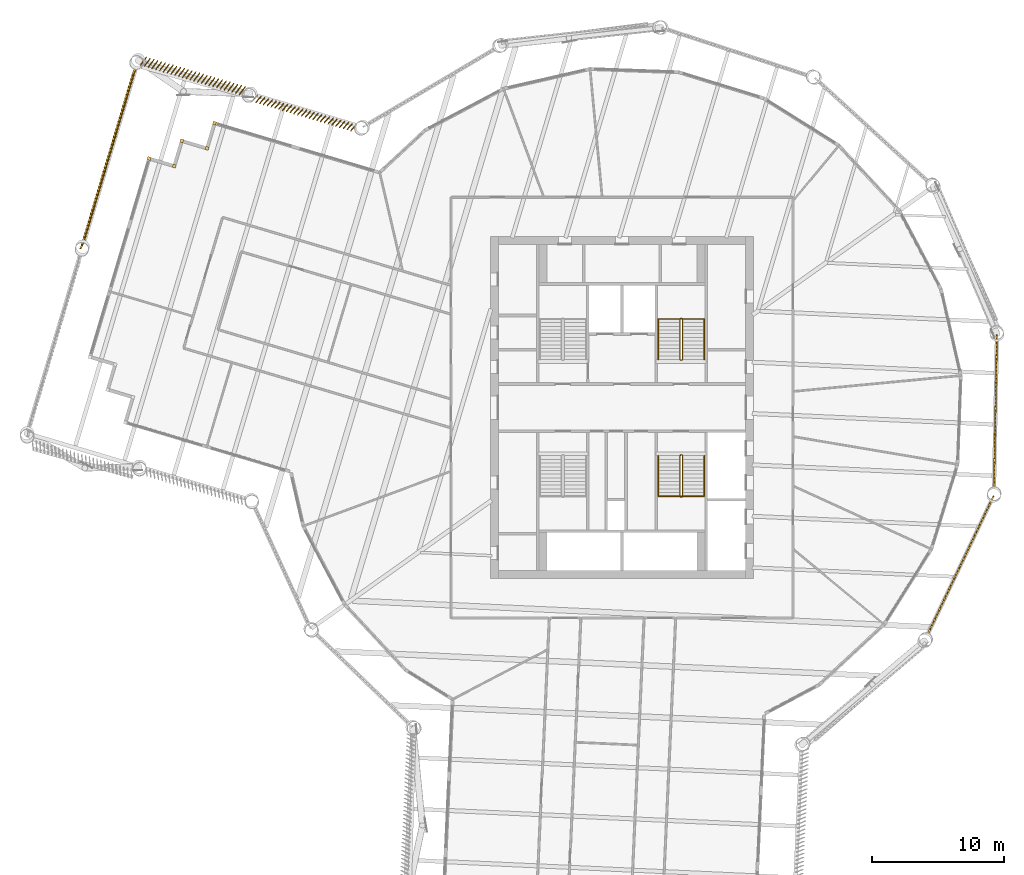
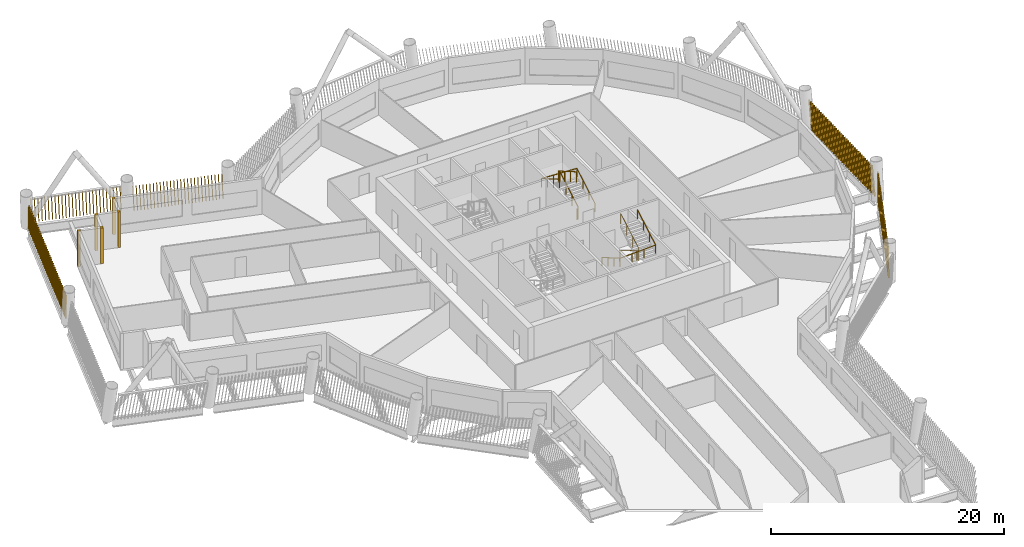
# One storey, part 22 of 24: 10 shading devices, 4 railings.
"""IFC4 building model written with IfcOpenShell, lengths in metres."""

from ifc_helpers import new_model, si_unit, direction, frame, frame_2d, origin, origin_2d, place, context, subcontext, project, spatial, rectangle, circle, composite_profile, extrude, material, type_object, element, save


model = new_model("IFC4")

# Units and contexts
model_context = context("Model", 3, precision=1e-05, world=origin(), true_north=direction((0.0, 1.0)))
body_context = subcontext(model_context, "Body", "Model", "MODEL_VIEW")
ifc_project = project(units=[si_unit("LENGTHUNIT", "METRE"), si_unit("AREAUNIT", "SQUARE_METRE"), si_unit("VOLUMEUNIT", "CUBIC_METRE"), si_unit("PLANEANGLEUNIT", "RADIAN"), si_unit("MASSUNIT", "GRAM", prefix="KILO")], contexts=[model_context])

# Site, building, storey
site_placement = place(None, origin())
site = spatial("IfcSite", under=ifc_project, at=site_placement, CompositionType="ELEMENT")
building_placement = place(site_placement, origin())
building = spatial("IfcBuilding", under=site, at=building_placement, Name="Tarsis Ring Headquarters", CompositionType="ELEMENT")
storey_placement = place(building_placement, frame((0.0, 0.0, 216.0)))
storey = spatial("IfcBuildingStorey", under=building, at=storey_placement, Name="L50", CompositionType="ELEMENT", Elevation=216.0)

# Railings
ifc_material_1 = material(Name="Steel S355", Category="steel")
railing_type_1 = type_object("IfcRailingType", Name="Core stair guard 1100", PredefinedType="GUARDRAIL", material=ifc_material_1)
railing_1_placement = place(storey_placement, frame((4.4599609375, 3.610107421875, 0.0)))
element("IfcRailing", 1, at=railing_1_placement, inside=storey, type_object=railing_type_1, Name="L50 ST2 stair guard 1", PredefinedType="GUARDRAIL", context=body_context, shape_type="SweptSolid", body=[
    extrude(circle(Radius=0.02392578125, at=origin_2d()), frame((0.0, 0.0, 1.076171875), z_axis=(1.0, 0.0, 0.0), x_axis=(0.0, 1.0, 0.0)), (0.0, 0.0, 1.0), 0.080078125),
    extrude(circle(Radius=0.02392578125, at=origin_2d()), frame((0.080078125, 0.0, 1.076171875), z_axis=(0.282336740067, 0.280959487676, 0.917250092119), x_axis=(-0.705375805398, 0.708833529934, 0.0)), (0.0, 0.0, 1.0), 0.17724609375),
    extrude(circle(Radius=0.02392578125, at=origin_2d()), frame((0.130126953125, 0.0498046875, 1.23876953125), z_axis=(0.0, 0.864920483161, 0.501908913857), x_axis=(-1.0, 0.0, 0.0)), (0.0, 0.0, 1.0), 3.56103515625),
    extrude(circle(Radius=0.02392578125, at=origin_2d()), frame((0.130126953125, 3.1298828125, 3.02587890625), z_axis=(-0.707106781187, 0.707106781187, 0.0), x_axis=(-0.707106781187, -0.707106781187, 0.0)), (0.0, 0.0, 1.0), 0.07080078125),
    extrude(circle(Radius=0.02392578125, at=origin_2d()), frame((0.080078125, 3.179931640625, 3.02587890625), z_axis=(-1.0, 0.0, 0.0), x_axis=(0.0, -1.0, 0.0)), (0.0, 0.0, 1.0), 0.080078125),
    extrude(circle(Radius=0.02392578125, at=origin_2d()), frame((0.0, 3.179931640625, 3.02587890625), z_axis=(-0.282227285176, -0.282227285176, 0.916894497205), x_axis=(0.707106781187, -0.707106781187, 0.0)), (0.0, 0.0, 1.0), 0.17724609375),
    extrude(circle(Radius=0.02392578125, at=origin_2d()), frame((-0.050048828125, 3.1298828125, 3.1884765625), z_axis=(0.0, -0.864920483161, 0.501908913857), x_axis=(1.0, 0.0, 0.0)), (0.0, 0.0, 1.0), 3.56103515625),
    extrude(circle(Radius=0.02099609375, at=origin_2d()), origin(), (0.0, 0.0, 1.0), 1.052001953125),
    extrude(circle(Radius=0.02099609375, at=origin_2d()), frame((0.080078125, 0.0, 0.0)), (0.0, 0.0, 1.0), 1.052001953125),
    extrude(circle(Radius=0.02099609375, at=origin_2d()), frame((0.130126953125, 0.0498046875, 0.16259765625)), (0.0, 0.0, 1.0), 1.052001953125),
    extrude(circle(Radius=0.02099609375, at=origin_2d()), frame((0.130126953125, 1.076416015625, 0.75830078125)), (0.0, 0.0, 1.0), 1.052001953125),
    extrude(circle(Radius=0.02099609375, at=origin_2d()), frame((0.130126953125, 2.103271484375, 1.354248046875)), (0.0, 0.0, 1.0), 1.052001953125),
    extrude(circle(Radius=0.02099609375, at=origin_2d()), frame((0.130126953125, 3.1298828125, 1.949951171875)), (0.0, 0.0, 1.0), 1.052001953125),
    extrude(circle(Radius=0.02099609375, at=origin_2d()), frame((0.080078125, 3.179931640625, 1.949951171875)), (0.0, 0.0, 1.0), 1.052001953125),
    extrude(circle(Radius=0.02099609375, at=origin_2d()), frame((0.0, 3.179931640625, 1.949951171875)), (0.0, 0.0, 1.0), 1.052001953125),
    extrude(circle(Radius=0.02099609375, at=origin_2d()), frame((-0.050048828125, 3.1298828125, 2.112548828125)), (0.0, 0.0, 1.0), 1.052001953125),
    extrude(circle(Radius=0.02099609375, at=origin_2d()), frame((-0.050048828125, 2.103271484375, 2.708251953125)), (0.0, 0.0, 1.0), 1.052001953125),
    extrude(circle(Radius=0.02099609375, at=origin_2d()), frame((-0.050048828125, 1.076416015625, 3.30419921875)), (0.0, 0.0, 1.0), 1.052001953125),
    extrude(circle(Radius=0.02099609375, at=origin_2d()), frame((-0.050048828125, 0.0498046875, 3.89990234375)), (0.0, 0.0, 1.0), 1.052001953125),
])
railing_2_placement = place(storey_placement, frame((4.5400390625, -3.610107421875, 0.0)))
element("IfcRailing", 2, at=railing_2_placement, inside=storey, type_object=railing_type_1, Name="L50 ST4 stair guard 1", PredefinedType="GUARDRAIL", context=body_context, shape_type="SweptSolid", body=[
    extrude(circle(Radius=0.02392578125, at=origin_2d()), frame((0.0, 0.0, 1.076171875), z_axis=(-1.0, 0.0, 0.0), x_axis=(0.0, -1.0, 0.0)), (0.0, 0.0, 1.0), 0.080078125),
    extrude(circle(Radius=0.02392578125, at=origin_2d()), frame((-0.080078125, 0.0, 1.076171875), z_axis=(-0.282336740067, -0.280959487676, 0.917250092119), x_axis=(0.705375805398, -0.708833529934, 0.0)), (0.0, 0.0, 1.0), 0.17724609375),
    extrude(circle(Radius=0.02392578125, at=origin_2d()), frame((-0.130126953125, -0.0498046875, 1.23876953125), z_axis=(0.0, -0.864920483161, 0.501908913857), x_axis=(1.0, 0.0, 0.0)), (0.0, 0.0, 1.0), 3.56103515625),
    extrude(circle(Radius=0.02392578125, at=origin_2d()), frame((-0.130126953125, -3.1298828125, 3.02587890625), z_axis=(0.707106781187, -0.707106781187, 0.0), x_axis=(0.707106781187, 0.707106781187, 0.0)), (0.0, 0.0, 1.0), 0.07080078125),
    extrude(circle(Radius=0.02392578125, at=origin_2d()), frame((-0.080078125, -3.179931640625, 3.02587890625), z_axis=(1.0, 0.0, 0.0), x_axis=(0.0, 1.0, 0.0)), (0.0, 0.0, 1.0), 0.080078125),
    extrude(circle(Radius=0.02392578125, at=origin_2d()), frame((0.0, -3.179931640625, 3.02587890625), z_axis=(0.282227285176, 0.282227285176, 0.916894497205), x_axis=(-0.707106781187, 0.707106781187, 0.0)), (0.0, 0.0, 1.0), 0.17724609375),
    extrude(circle(Radius=0.02392578125, at=origin_2d()), frame((0.050048828125, -3.1298828125, 3.1884765625), z_axis=(0.0, 0.864920483161, 0.501908913857), x_axis=(-1.0, 0.0, 0.0)), (0.0, 0.0, 1.0), 3.56103515625),
    extrude(circle(Radius=0.02099609375, at=origin_2d()), origin(), (0.0, 0.0, 1.0), 1.052001953125),
    extrude(circle(Radius=0.02099609375, at=origin_2d()), frame((-0.080078125, 0.0, 0.0)), (0.0, 0.0, 1.0), 1.052001953125),
    extrude(circle(Radius=0.02099609375, at=origin_2d()), frame((-0.130126953125, -0.0498046875, 0.16259765625)), (0.0, 0.0, 1.0), 1.052001953125),
    extrude(circle(Radius=0.02099609375, at=origin_2d()), frame((-0.130126953125, -1.076416015625, 0.75830078125)), (0.0, 0.0, 1.0), 1.052001953125),
    extrude(circle(Radius=0.02099609375, at=origin_2d()), frame((-0.130126953125, -2.103271484375, 1.354248046875)), (0.0, 0.0, 1.0), 1.052001953125),
    extrude(circle(Radius=0.02099609375, at=origin_2d()), frame((-0.130126953125, -3.1298828125, 1.949951171875)), (0.0, 0.0, 1.0), 1.052001953125),
    extrude(circle(Radius=0.02099609375, at=origin_2d()), frame((-0.080078125, -3.179931640625, 1.949951171875)), (0.0, 0.0, 1.0), 1.052001953125),
    extrude(circle(Radius=0.02099609375, at=origin_2d()), frame((0.0, -3.179931640625, 1.949951171875)), (0.0, 0.0, 1.0), 1.052001953125),
    extrude(circle(Radius=0.02099609375, at=origin_2d()), frame((0.050048828125, -3.1298828125, 2.112548828125)), (0.0, 0.0, 1.0), 1.052001953125),
    extrude(circle(Radius=0.02099609375, at=origin_2d()), frame((0.050048828125, -2.103271484375, 2.708251953125)), (0.0, 0.0, 1.0), 1.052001953125),
    extrude(circle(Radius=0.02099609375, at=origin_2d()), frame((0.050048828125, -1.076416015625, 3.30419921875)), (0.0, 0.0, 1.0), 1.052001953125),
    extrude(circle(Radius=0.02099609375, at=origin_2d()), frame((0.050048828125, -0.0498046875, 3.89990234375)), (0.0, 0.0, 1.0), 1.052001953125),
])
railing_type_2 = type_object("IfcRailingType", Name="Core stair handrail 900", PredefinedType="HANDRAIL", material=ifc_material_1)
railing_3_placement = place(storey_placement, frame((6.25, 3.659912109375, 0.16259765625)))
element("IfcRailing", 3, at=railing_3_placement, inside=storey, type_object=railing_type_2, Name="L50 ST2 stair handrail 1", PredefinedType="HANDRAIL", context=body_context, shape_type="SweptSolid", body=[
    extrude(circle(Radius=0.02392578125, at=origin_2d()), frame((0.0, 0.0, 0.8759765625), z_axis=(0.0, 0.864920483161, 0.501908913857), x_axis=(-1.0, 0.0, 0.0)), (0.0, 0.0, 1.0), 3.56103515625),
    extrude(circle(Radius=0.02392578125, at=origin_2d()), frame((0.0, 3.080078125, 2.6630859375), z_axis=(-0.998922641604, 0.0, 0.046406422943), x_axis=(0.0, -1.0, 0.0)), (0.0, 0.0, 1.0), 3.503662109375),
    extrude(circle(Radius=0.02392578125, at=origin_2d()), frame((-3.5, 3.080078125, 2.82568359375), z_axis=(0.0, -0.864920483161, 0.501908913857), x_axis=(1.0, 0.0, 0.0)), (0.0, 0.0, 1.0), 3.56103515625),
    extrude(circle(Radius=0.02099609375, at=origin_2d()), origin(), (0.0, 0.0, 1.0), 0.851806640625),
    extrude(circle(Radius=0.02099609375, at=origin_2d()), frame((0.0, 1.026611328125, 0.595703125)), (0.0, 0.0, 1.0), 0.851806640625),
    extrude(circle(Radius=0.02099609375, at=origin_2d()), frame((0.0, 2.053466796875, 1.191650390625)), (0.0, 0.0, 1.0), 0.851806640625),
    extrude(circle(Radius=0.02099609375, at=origin_2d()), frame((0.0, 3.080078125, 1.787353515625)), (0.0, 0.0, 1.0), 0.851806640625),
    extrude(circle(Radius=0.02099609375, at=origin_2d()), frame((-1.166748046875, 3.080078125, 1.841552734375)), (0.0, 0.0, 1.0), 0.851806640625),
    extrude(circle(Radius=0.02099609375, at=origin_2d()), frame((-2.333251953125, 3.080078125, 1.895751953125)), (0.0, 0.0, 1.0), 0.851806640625),
    extrude(circle(Radius=0.02099609375, at=origin_2d()), frame((-3.5, 3.080078125, 1.949951171875)), (0.0, 0.0, 1.0), 0.851806640625),
    extrude(circle(Radius=0.02099609375, at=origin_2d()), frame((-3.5, 2.053466796875, 2.545654296875)), (0.0, 0.0, 1.0), 0.851806640625),
    extrude(circle(Radius=0.02099609375, at=origin_2d()), frame((-3.5, 1.026611328125, 3.1416015625)), (0.0, 0.0, 1.0), 0.851806640625),
    extrude(circle(Radius=0.02099609375, at=origin_2d()), frame((-3.5, 0.0, 3.7373046875)), (0.0, 0.0, 1.0), 0.851806640625),
])
railing_4_placement = place(storey_placement, frame((2.75, -3.659912109375, 0.16259765625)))
element("IfcRailing", 4, at=railing_4_placement, inside=storey, type_object=railing_type_2, Name="L50 ST4 stair handrail 1", PredefinedType="HANDRAIL", context=body_context, shape_type="SweptSolid", body=[
    extrude(circle(Radius=0.02392578125, at=origin_2d()), frame((0.0, 0.0, 0.8759765625), z_axis=(0.0, -0.864920483161, 0.501908913857), x_axis=(1.0, 0.0, 0.0)), (0.0, 0.0, 1.0), 3.56103515625),
    extrude(circle(Radius=0.02392578125, at=origin_2d()), frame((0.0, -3.080078125, 2.6630859375), z_axis=(0.998922641604, 0.0, 0.046406422943), x_axis=(0.0, 1.0, 0.0)), (0.0, 0.0, 1.0), 3.503662109375),
    extrude(circle(Radius=0.02392578125, at=origin_2d()), frame((3.5, -3.080078125, 2.82568359375), z_axis=(0.0, 0.864920483161, 0.501908913857), x_axis=(-1.0, 0.0, 0.0)), (0.0, 0.0, 1.0), 3.56103515625),
    extrude(circle(Radius=0.02099609375, at=origin_2d()), origin(), (0.0, 0.0, 1.0), 0.851806640625),
    extrude(circle(Radius=0.02099609375, at=origin_2d()), frame((0.0, -1.026611328125, 0.595703125)), (0.0, 0.0, 1.0), 0.851806640625),
    extrude(circle(Radius=0.02099609375, at=origin_2d()), frame((0.0, -2.053466796875, 1.191650390625)), (0.0, 0.0, 1.0), 0.851806640625),
    extrude(circle(Radius=0.02099609375, at=origin_2d()), frame((0.0, -3.080078125, 1.787353515625)), (0.0, 0.0, 1.0), 0.851806640625),
    extrude(circle(Radius=0.02099609375, at=origin_2d()), frame((1.166748046875, -3.080078125, 1.841552734375)), (0.0, 0.0, 1.0), 0.851806640625),
    extrude(circle(Radius=0.02099609375, at=origin_2d()), frame((2.333251953125, -3.080078125, 1.895751953125)), (0.0, 0.0, 1.0), 0.851806640625),
    extrude(circle(Radius=0.02099609375, at=origin_2d()), frame((3.5, -3.080078125, 1.949951171875)), (0.0, 0.0, 1.0), 0.851806640625),
    extrude(circle(Radius=0.02099609375, at=origin_2d()), frame((3.5, -2.053466796875, 2.545654296875)), (0.0, 0.0, 1.0), 0.851806640625),
    extrude(circle(Radius=0.02099609375, at=origin_2d()), frame((3.5, -1.026611328125, 3.1416015625)), (0.0, 0.0, 1.0), 0.851806640625),
    extrude(circle(Radius=0.02099609375, at=origin_2d()), frame((3.5, 0.0, 3.7373046875)), (0.0, 0.0, 1.0), 0.851806640625),
])

# Shading devices
ifc_material_2 = material(Name="Terracotta baguette", Category="masonry")
shading_device_type_1 = type_object("IfcShadingDeviceType", Name="Terracotta baguette screen", PredefinedType="USERDEFINED", material=ifc_material_2)
shading_device_1_placement = place(storey_placement, frame((23.22119140625, -17.283447265625, 0.0), z_axis=(0.0, 0.0, 1.0), x_axis=(0.429820944113, 0.902919153554, 0.0)))
element("IfcShadingDevice", 5, at=shading_device_1_placement, inside=storey, type_object=shading_device_type_1, Name="Baguette screen L50-08", ObjectType="Terracotta baguette screen", PredefinedType="USERDEFINED", context=body_context, shape_type="SweptSolid", body=[
    extrude(composite_profile([rectangle(XDim=0.06005859375, YDim=0.1201171875, at=frame_2d((0.030029296875, 0.0))), rectangle(XDim=0.06005859375, YDim=0.1201171875, at=frame_2d((0.33251953125, 0.0))), rectangle(XDim=0.06005859375, YDim=0.1201171875, at=frame_2d((0.634765625, 0.0))), rectangle(XDim=0.06005859375, YDim=0.1201171875, at=frame_2d((0.937255859375, 0.0))), rectangle(XDim=0.06005859375, YDim=0.1201171875, at=frame_2d((1.239501953125, 0.0))), rectangle(XDim=0.06005859375, YDim=0.1201171875, at=frame_2d((1.5419921875, 0.0))), rectangle(XDim=0.06005859375, YDim=0.1201171875, at=frame_2d((1.844482421875, 0.0))), rectangle(XDim=0.06005859375, YDim=0.1201171875, at=frame_2d((2.146728515625, 0.0))), rectangle(XDim=0.06005859375, YDim=0.1201171875, at=frame_2d((2.44921875, 0.0))), rectangle(XDim=0.06005859375, YDim=0.1201171875, at=frame_2d((2.751708984375, 0.0))), rectangle(XDim=0.06005859375, YDim=0.1201171875, at=frame_2d((3.053955078125, 0.0))), rectangle(XDim=0.06005859375, YDim=0.1201171875, at=frame_2d((3.3564453125, 0.0))), rectangle(XDim=0.06005859375, YDim=0.1201171875, at=frame_2d((3.65869140625, 0.0))), rectangle(XDim=0.06005859375, YDim=0.1201171875, at=frame_2d((3.961181640625, 0.0))), rectangle(XDim=0.06005859375, YDim=0.1201171875, at=frame_2d((4.263671875, 0.0))), rectangle(XDim=0.06005859375, YDim=0.1201171875, at=frame_2d((4.56591796875, 0.0))), rectangle(XDim=0.06005859375, YDim=0.1201171875, at=frame_2d((4.868408203125, 0.0))), rectangle(XDim=0.06005859375, YDim=0.1201171875, at=frame_2d((5.1708984375, 0.0))), rectangle(XDim=0.06005859375, YDim=0.1201171875, at=frame_2d((5.47314453125, 0.0))), rectangle(XDim=0.06005859375, YDim=0.1201171875, at=frame_2d((5.775634765625, 0.0))), rectangle(XDim=0.06005859375, YDim=0.1201171875, at=frame_2d((6.077880859375, 0.0))), rectangle(XDim=0.06005859375, YDim=0.1201171875, at=frame_2d((6.38037109375, 0.0))), rectangle(XDim=0.06005859375, YDim=0.1201171875, at=frame_2d((6.682861328125, 0.0))), rectangle(XDim=0.06005859375, YDim=0.1201171875, at=frame_2d((6.985107421875, 0.0))), rectangle(XDim=0.06005859375, YDim=0.1201171875, at=frame_2d((7.28759765625, 0.0))), rectangle(XDim=0.06005859375, YDim=0.1201171875, at=frame_2d((7.590087890625, 0.0))), rectangle(XDim=0.06005859375, YDim=0.1201171875, at=frame_2d((7.892333984375, 0.0))), rectangle(XDim=0.06005859375, YDim=0.1201171875, at=frame_2d((8.19482421875, 0.0))), rectangle(XDim=0.06005859375, YDim=0.1201171875, at=frame_2d((8.4970703125, 0.0))), rectangle(XDim=0.06005859375, YDim=0.1201171875, at=frame_2d((8.799560546875, 0.0))), rectangle(XDim=0.06005859375, YDim=0.1201171875, at=frame_2d((9.10205078125, 0.0))), rectangle(XDim=0.06005859375, YDim=0.1201171875, at=frame_2d((9.404296875, 0.0))), rectangle(XDim=0.06005859375, YDim=0.1201171875, at=frame_2d((9.706787109375, 0.0))), rectangle(XDim=0.06005859375, YDim=0.1201171875, at=frame_2d((10.00927734375, 0.0))), rectangle(XDim=0.06005859375, YDim=0.1201171875, at=frame_2d((10.3115234375, 0.0))), rectangle(XDim=0.06005859375, YDim=0.1201171875, at=frame_2d((10.614013671875, 0.0))), rectangle(XDim=0.06005859375, YDim=0.1201171875, at=frame_2d((10.916259765625, 0.0))), rectangle(XDim=0.06005859375, YDim=0.1201171875, at=frame_2d((11.21875, 0.0)))]), origin(), (0.15921705773, 0.001333325803, 0.987242701047), 2.988037109375),
])
shading_device_2_placement = place(storey_placement, frame((28.28076171875, -6.17529296875, 0.0), z_axis=(0.0, 0.0, 1.0), x_axis=(0.019446132477, 0.999804670544, 0.0)))
element("IfcShadingDevice", 6, at=shading_device_2_placement, inside=storey, type_object=shading_device_type_1, Name="Baguette screen L50-09", ObjectType="Terracotta baguette screen", PredefinedType="USERDEFINED", context=body_context, shape_type="SweptSolid", body=[
    extrude(composite_profile([rectangle(XDim=0.06005859375, YDim=0.1201171875, at=frame_2d((0.030029296875, 0.0))), rectangle(XDim=0.06005859375, YDim=0.1201171875, at=frame_2d((0.33251953125, 0.0))), rectangle(XDim=0.06005859375, YDim=0.1201171875, at=frame_2d((0.634765625, 0.0))), rectangle(XDim=0.06005859375, YDim=0.1201171875, at=frame_2d((0.937255859375, 0.0))), rectangle(XDim=0.06005859375, YDim=0.1201171875, at=frame_2d((1.239501953125, 0.0))), rectangle(XDim=0.06005859375, YDim=0.1201171875, at=frame_2d((1.5419921875, 0.0))), rectangle(XDim=0.06005859375, YDim=0.1201171875, at=frame_2d((1.844482421875, 0.0))), rectangle(XDim=0.06005859375, YDim=0.1201171875, at=frame_2d((2.146728515625, 0.0))), rectangle(XDim=0.06005859375, YDim=0.1201171875, at=frame_2d((2.44921875, 0.0))), rectangle(XDim=0.06005859375, YDim=0.1201171875, at=frame_2d((2.751708984375, 0.0))), rectangle(XDim=0.06005859375, YDim=0.1201171875, at=frame_2d((3.053955078125, 0.0))), rectangle(XDim=0.06005859375, YDim=0.1201171875, at=frame_2d((3.3564453125, 0.0))), rectangle(XDim=0.06005859375, YDim=0.1201171875, at=frame_2d((3.65869140625, 0.0))), rectangle(XDim=0.06005859375, YDim=0.1201171875, at=frame_2d((3.961181640625, 0.0))), rectangle(XDim=0.06005859375, YDim=0.1201171875, at=frame_2d((4.263671875, 0.0))), rectangle(XDim=0.06005859375, YDim=0.1201171875, at=frame_2d((4.56591796875, 0.0))), rectangle(XDim=0.06005859375, YDim=0.1201171875, at=frame_2d((4.868408203125, 0.0))), rectangle(XDim=0.06005859375, YDim=0.1201171875, at=frame_2d((5.1708984375, 0.0))), rectangle(XDim=0.06005859375, YDim=0.1201171875, at=frame_2d((5.47314453125, 0.0))), rectangle(XDim=0.06005859375, YDim=0.1201171875, at=frame_2d((5.775634765625, 0.0))), rectangle(XDim=0.06005859375, YDim=0.1201171875, at=frame_2d((6.077880859375, 0.0))), rectangle(XDim=0.06005859375, YDim=0.1201171875, at=frame_2d((6.38037109375, 0.0))), rectangle(XDim=0.06005859375, YDim=0.1201171875, at=frame_2d((6.682861328125, 0.0))), rectangle(XDim=0.06005859375, YDim=0.1201171875, at=frame_2d((6.985107421875, 0.0))), rectangle(XDim=0.06005859375, YDim=0.1201171875, at=frame_2d((7.28759765625, 0.0))), rectangle(XDim=0.06005859375, YDim=0.1201171875, at=frame_2d((7.590087890625, 0.0))), rectangle(XDim=0.06005859375, YDim=0.1201171875, at=frame_2d((7.892333984375, 0.0))), rectangle(XDim=0.06005859375, YDim=0.1201171875, at=frame_2d((8.19482421875, 0.0))), rectangle(XDim=0.06005859375, YDim=0.1201171875, at=frame_2d((8.4970703125, 0.0))), rectangle(XDim=0.06005859375, YDim=0.1201171875, at=frame_2d((8.799560546875, 0.0))), rectangle(XDim=0.06005859375, YDim=0.1201171875, at=frame_2d((9.10205078125, 0.0))), rectangle(XDim=0.06005859375, YDim=0.1201171875, at=frame_2d((9.404296875, 0.0))), rectangle(XDim=0.06005859375, YDim=0.1201171875, at=frame_2d((9.706787109375, 0.0))), rectangle(XDim=0.06005859375, YDim=0.1201171875, at=frame_2d((10.00927734375, 0.0))), rectangle(XDim=0.06005859375, YDim=0.1201171875, at=frame_2d((10.3115234375, 0.0))), rectangle(XDim=0.06005859375, YDim=0.1201171875, at=frame_2d((10.614013671875, 0.0))), rectangle(XDim=0.06005859375, YDim=0.1201171875, at=frame_2d((10.916259765625, 0.0))), rectangle(XDim=0.06005859375, YDim=0.1201171875, at=frame_2d((11.21875, 0.0)))]), origin(), (0.159215278115, 0.001335401284, 0.987242985246), 2.988037109375),
])
shading_device_3_placement = place(storey_placement, frame((-20.204833984375, 21.467041015625, 0.0), z_axis=(0.0, 0.0, 1.0), x_axis=(-0.958321747459, 0.285692217382, 0.0)))
element("IfcShadingDevice", 7, at=shading_device_3_placement, inside=storey, type_object=shading_device_type_1, Name="Baguette screen L50-15", ObjectType="Terracotta baguette screen", PredefinedType="USERDEFINED", context=body_context, shape_type="SweptSolid", body=[
    extrude(composite_profile([rectangle(XDim=0.06005859375, YDim=0.1201171875, at=frame_2d((0.030029296875, 0.0))), rectangle(XDim=0.06005859375, YDim=0.1201171875, at=frame_2d((0.33154296875, 0.0))), rectangle(XDim=0.06005859375, YDim=0.1201171875, at=frame_2d((0.63330078125, 0.0))), rectangle(XDim=0.06005859375, YDim=0.1201171875, at=frame_2d((0.934814453125, 0.0))), rectangle(XDim=0.06005859375, YDim=0.1201171875, at=frame_2d((1.236572265625, 0.0))), rectangle(XDim=0.06005859375, YDim=0.1201171875, at=frame_2d((1.5380859375, 0.0))), rectangle(XDim=0.06005859375, YDim=0.1201171875, at=frame_2d((1.83984375, 0.0))), rectangle(XDim=0.06005859375, YDim=0.1201171875, at=frame_2d((2.141357421875, 0.0))), rectangle(XDim=0.06005859375, YDim=0.1201171875, at=frame_2d((2.443115234375, 0.0))), rectangle(XDim=0.06005859375, YDim=0.1201171875, at=frame_2d((2.74462890625, 0.0))), rectangle(XDim=0.06005859375, YDim=0.1201171875, at=frame_2d((3.04638671875, 0.0))), rectangle(XDim=0.06005859375, YDim=0.1201171875, at=frame_2d((3.347900390625, 0.0))), rectangle(XDim=0.06005859375, YDim=0.1201171875, at=frame_2d((3.649658203125, 0.0))), rectangle(XDim=0.06005859375, YDim=0.1201171875, at=frame_2d((3.951171875, 0.0))), rectangle(XDim=0.06005859375, YDim=0.1201171875, at=frame_2d((4.252685546875, 0.0))), rectangle(XDim=0.06005859375, YDim=0.1201171875, at=frame_2d((4.554443359375, 0.0))), rectangle(XDim=0.06005859375, YDim=0.1201171875, at=frame_2d((4.85595703125, 0.0))), rectangle(XDim=0.06005859375, YDim=0.1201171875, at=frame_2d((5.15771484375, 0.0))), rectangle(XDim=0.06005859375, YDim=0.1201171875, at=frame_2d((5.459228515625, 0.0))), rectangle(XDim=0.06005859375, YDim=0.1201171875, at=frame_2d((5.760986328125, 0.0))), rectangle(XDim=0.06005859375, YDim=0.1201171875, at=frame_2d((6.0625, 0.0))), rectangle(XDim=0.06005859375, YDim=0.1201171875, at=frame_2d((6.3642578125, 0.0))), rectangle(XDim=0.06005859375, YDim=0.1201171875, at=frame_2d((6.665771484375, 0.0))), rectangle(XDim=0.06005859375, YDim=0.1201171875, at=frame_2d((6.967529296875, 0.0))), rectangle(XDim=0.06005859375, YDim=0.1201171875, at=frame_2d((7.26904296875, 0.0))), rectangle(XDim=0.06005859375, YDim=0.1201171875, at=frame_2d((7.57080078125, 0.0))), rectangle(XDim=0.06005859375, YDim=0.1201171875, at=frame_2d((7.872314453125, 0.0)))]), origin(), (0.081244318923, 0.165081157435, 0.982928060492), 3.001220703125),
])
shading_device_4_placement = place(storey_placement, frame((-28.62890625, 24.36962890625, 0.0), z_axis=(0.0, 0.0, 1.0), x_axis=(-0.958321747459, 0.285692217382, 0.0)))
element("IfcShadingDevice", 8, at=shading_device_4_placement, inside=storey, type_object=shading_device_type_1, Name="Baguette screen L50-16", ObjectType="Terracotta baguette screen", PredefinedType="USERDEFINED", context=body_context, shape_type="SweptSolid", body=[
    extrude(composite_profile([rectangle(XDim=0.06005859375, YDim=0.1201171875, at=frame_2d((0.030029296875, 0.0))), rectangle(XDim=0.06005859375, YDim=0.1201171875, at=frame_2d((0.33154296875, 0.0))), rectangle(XDim=0.06005859375, YDim=0.1201171875, at=frame_2d((0.63330078125, 0.0))), rectangle(XDim=0.06005859375, YDim=0.1201171875, at=frame_2d((0.934814453125, 0.0))), rectangle(XDim=0.06005859375, YDim=0.1201171875, at=frame_2d((1.236572265625, 0.0))), rectangle(XDim=0.06005859375, YDim=0.1201171875, at=frame_2d((1.5380859375, 0.0))), rectangle(XDim=0.06005859375, YDim=0.1201171875, at=frame_2d((1.83984375, 0.0))), rectangle(XDim=0.06005859375, YDim=0.1201171875, at=frame_2d((2.141357421875, 0.0))), rectangle(XDim=0.06005859375, YDim=0.1201171875, at=frame_2d((2.443115234375, 0.0))), rectangle(XDim=0.06005859375, YDim=0.1201171875, at=frame_2d((2.74462890625, 0.0))), rectangle(XDim=0.06005859375, YDim=0.1201171875, at=frame_2d((3.04638671875, 0.0))), rectangle(XDim=0.06005859375, YDim=0.1201171875, at=frame_2d((3.347900390625, 0.0))), rectangle(XDim=0.06005859375, YDim=0.1201171875, at=frame_2d((3.649658203125, 0.0))), rectangle(XDim=0.06005859375, YDim=0.1201171875, at=frame_2d((3.951171875, 0.0))), rectangle(XDim=0.06005859375, YDim=0.1201171875, at=frame_2d((4.252685546875, 0.0))), rectangle(XDim=0.06005859375, YDim=0.1201171875, at=frame_2d((4.554443359375, 0.0))), rectangle(XDim=0.06005859375, YDim=0.1201171875, at=frame_2d((4.85595703125, 0.0))), rectangle(XDim=0.06005859375, YDim=0.1201171875, at=frame_2d((5.15771484375, 0.0))), rectangle(XDim=0.06005859375, YDim=0.1201171875, at=frame_2d((5.459228515625, 0.0))), rectangle(XDim=0.06005859375, YDim=0.1201171875, at=frame_2d((5.760986328125, 0.0))), rectangle(XDim=0.06005859375, YDim=0.1201171875, at=frame_2d((6.0625, 0.0))), rectangle(XDim=0.06005859375, YDim=0.1201171875, at=frame_2d((6.3642578125, 0.0))), rectangle(XDim=0.06005859375, YDim=0.1201171875, at=frame_2d((6.665771484375, 0.0))), rectangle(XDim=0.06005859375, YDim=0.1201171875, at=frame_2d((6.967529296875, 0.0))), rectangle(XDim=0.06005859375, YDim=0.1201171875, at=frame_2d((7.26904296875, 0.0))), rectangle(XDim=0.06005859375, YDim=0.1201171875, at=frame_2d((7.57080078125, 0.0))), rectangle(XDim=0.06005859375, YDim=0.1201171875, at=frame_2d((7.872314453125, 0.0)))]), origin(), (0.082138298087, 0.212767304625, 0.973644377619), 3.02978515625),
])
shading_device_5_placement = place(storey_placement, frame((-36.930908203125, 25.931396484375, 0.0), z_axis=(0.0, 0.0, 1.0), x_axis=(-0.28567890314, -0.958319327731, 0.0)))
element("IfcShadingDevice", 9, at=shading_device_5_placement, inside=storey, type_object=shading_device_type_1, Name="Baguette screen L50-17", ObjectType="Terracotta baguette screen", PredefinedType="USERDEFINED", context=body_context, shape_type="SweptSolid", body=[
    extrude(composite_profile([rectangle(XDim=0.06005859375, YDim=0.1201171875, at=frame_2d((0.030029296875, 0.0))), rectangle(XDim=0.06005859375, YDim=0.1201171875, at=frame_2d((0.33544921875, 0.0))), rectangle(XDim=0.06005859375, YDim=0.1201171875, at=frame_2d((0.640625, 0.0))), rectangle(XDim=0.06005859375, YDim=0.1201171875, at=frame_2d((0.946044921875, 0.0))), rectangle(XDim=0.06005859375, YDim=0.1201171875, at=frame_2d((1.25146484375, 0.0))), rectangle(XDim=0.06005859375, YDim=0.1201171875, at=frame_2d((1.556640625, 0.0))), rectangle(XDim=0.06005859375, YDim=0.1201171875, at=frame_2d((1.862060546875, 0.0))), rectangle(XDim=0.06005859375, YDim=0.1201171875, at=frame_2d((2.16748046875, 0.0))), rectangle(XDim=0.06005859375, YDim=0.1201171875, at=frame_2d((2.47265625, 0.0))), rectangle(XDim=0.06005859375, YDim=0.1201171875, at=frame_2d((2.778076171875, 0.0))), rectangle(XDim=0.06005859375, YDim=0.1201171875, at=frame_2d((3.08349609375, 0.0))), rectangle(XDim=0.06005859375, YDim=0.1201171875, at=frame_2d((3.388671875, 0.0))), rectangle(XDim=0.06005859375, YDim=0.1201171875, at=frame_2d((3.694091796875, 0.0))), rectangle(XDim=0.06005859375, YDim=0.1201171875, at=frame_2d((3.99951171875, 0.0))), rectangle(XDim=0.06005859375, YDim=0.1201171875, at=frame_2d((4.3046875, 0.0))), rectangle(XDim=0.06005859375, YDim=0.1201171875, at=frame_2d((4.610107421875, 0.0))), rectangle(XDim=0.06005859375, YDim=0.1201171875, at=frame_2d((4.91552734375, 0.0))), rectangle(XDim=0.06005859375, YDim=0.1201171875, at=frame_2d((5.220703125, 0.0))), rectangle(XDim=0.06005859375, YDim=0.1201171875, at=frame_2d((5.526123046875, 0.0))), rectangle(XDim=0.06005859375, YDim=0.1201171875, at=frame_2d((5.83154296875, 0.0))), rectangle(XDim=0.06005859375, YDim=0.1201171875, at=frame_2d((6.13671875, 0.0))), rectangle(XDim=0.06005859375, YDim=0.1201171875, at=frame_2d((6.442138671875, 0.0))), rectangle(XDim=0.06005859375, YDim=0.1201171875, at=frame_2d((6.74755859375, 0.0))), rectangle(XDim=0.06005859375, YDim=0.1201171875, at=frame_2d((7.052734375, 0.0))), rectangle(XDim=0.06005859375, YDim=0.1201171875, at=frame_2d((7.358154296875, 0.0))), rectangle(XDim=0.06005859375, YDim=0.1201171875, at=frame_2d((7.66357421875, 0.0))), rectangle(XDim=0.06005859375, YDim=0.1201171875, at=frame_2d((7.96875, 0.0))), rectangle(XDim=0.06005859375, YDim=0.1201171875, at=frame_2d((8.274169921875, 0.0))), rectangle(XDim=0.06005859375, YDim=0.1201171875, at=frame_2d((8.57958984375, 0.0))), rectangle(XDim=0.06005859375, YDim=0.1201171875, at=frame_2d((8.884765625, 0.0))), rectangle(XDim=0.06005859375, YDim=0.1201171875, at=frame_2d((9.190185546875, 0.0))), rectangle(XDim=0.06005859375, YDim=0.1201171875, at=frame_2d((9.49560546875, 0.0))), rectangle(XDim=0.06005859375, YDim=0.1201171875, at=frame_2d((9.80078125, 0.0))), rectangle(XDim=0.06005859375, YDim=0.1201171875, at=frame_2d((10.106201171875, 0.0))), rectangle(XDim=0.06005859375, YDim=0.1201171875, at=frame_2d((10.41162109375, 0.0))), rectangle(XDim=0.06005859375, YDim=0.1201171875, at=frame_2d((10.716796875, 0.0))), rectangle(XDim=0.06005859375, YDim=0.1201171875, at=frame_2d((11.022216796875, 0.0))), rectangle(XDim=0.06005859375, YDim=0.1201171875, at=frame_2d((11.32763671875, 0.0))), rectangle(XDim=0.06005859375, YDim=0.1201171875, at=frame_2d((11.6328125, 0.0))), rectangle(XDim=0.06005859375, YDim=0.1201171875, at=frame_2d((11.938232421875, 0.0))), rectangle(XDim=0.06005859375, YDim=0.1201171875, at=frame_2d((12.24365234375, 0.0))), rectangle(XDim=0.06005859375, YDim=0.1201171875, at=frame_2d((12.548828125, 0.0))), rectangle(XDim=0.06005859375, YDim=0.1201171875, at=frame_2d((12.854248046875, 0.0))), rectangle(XDim=0.06005859375, YDim=0.1201171875, at=frame_2d((13.15966796875, 0.0))), rectangle(XDim=0.06005859375, YDim=0.1201171875, at=frame_2d((13.46484375, 0.0))), rectangle(XDim=0.06005859375, YDim=0.1201171875, at=frame_2d((13.770263671875, 0.0)))]), origin(), (0.236348836419, -0.038829712743, 0.970892105711), 3.038330078125),
])
shading_device_type_2 = type_object("IfcShadingDeviceType", Name="Terracotta corner baguette 250x250", PredefinedType="USERDEFINED", material=ifc_material_2)
for number, where, z_axis, x_axis, name in (
    (10, (-30.9873046875, 21.629150390625, 0.0), (0.0, 0.0, 1.0), (-0.958322584438, 0.285688333953, 0.0), "Corner baguette L50-32"),
    (11, (-31.55859375, 19.71240234375, 0.0), (0.0, 0.0, 1.0), (-0.285688501212, -0.958322534576, 0.0), "Corner baguette L50-33"),
    (12, (-33.475341796875, 20.283935546875, 0.0), (0.0, 0.0, 1.0), (-0.958322669203, 0.285688049613, 0.0), "Corner baguette L50-34"),
    (13, (-34.046630859375, 18.3671875, 0.0), (0.0, 0.0, 1.0), (-0.285688501212, -0.958322534576, 0.0), "Corner baguette L50-35"),
    (14, (-35.96337890625, 18.938720703125, 0.0), (0.0, 0.0, 1.0), (-0.958322534576, 0.285688501212, 0.0), "Corner baguette L50-36"),
):
    element("IfcShadingDevice", number, at=place(storey_placement, frame(where, z_axis=z_axis, x_axis=x_axis)), inside=storey, type_object=shading_device_type_2, Name=name, ObjectType="Terracotta corner baguette", PredefinedType="USERDEFINED", context=body_context, shape_type="SweptSolid", body=[
        extrude(rectangle(XDim=0.25, YDim=0.25, at=origin_2d()), origin(), (0.0, 0.0, 1.0), 3.739990234375),
    ])

save(model, "model.ifc")
